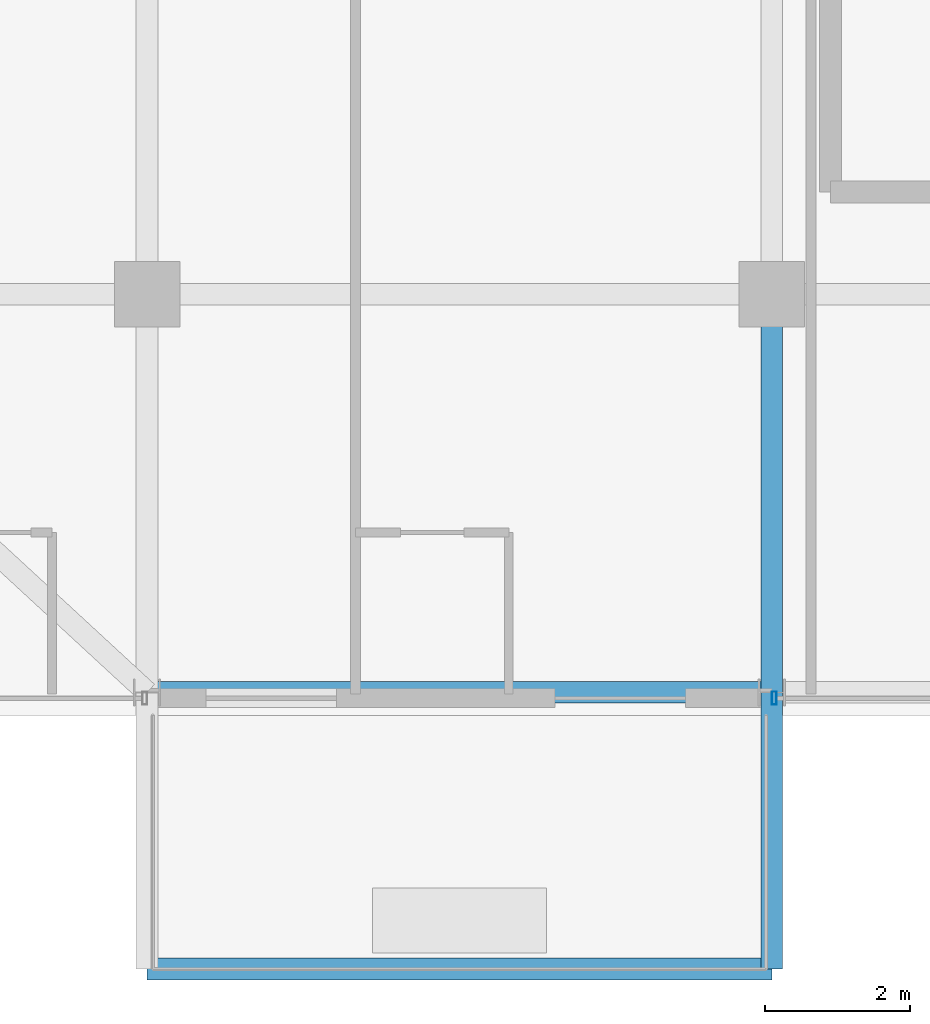
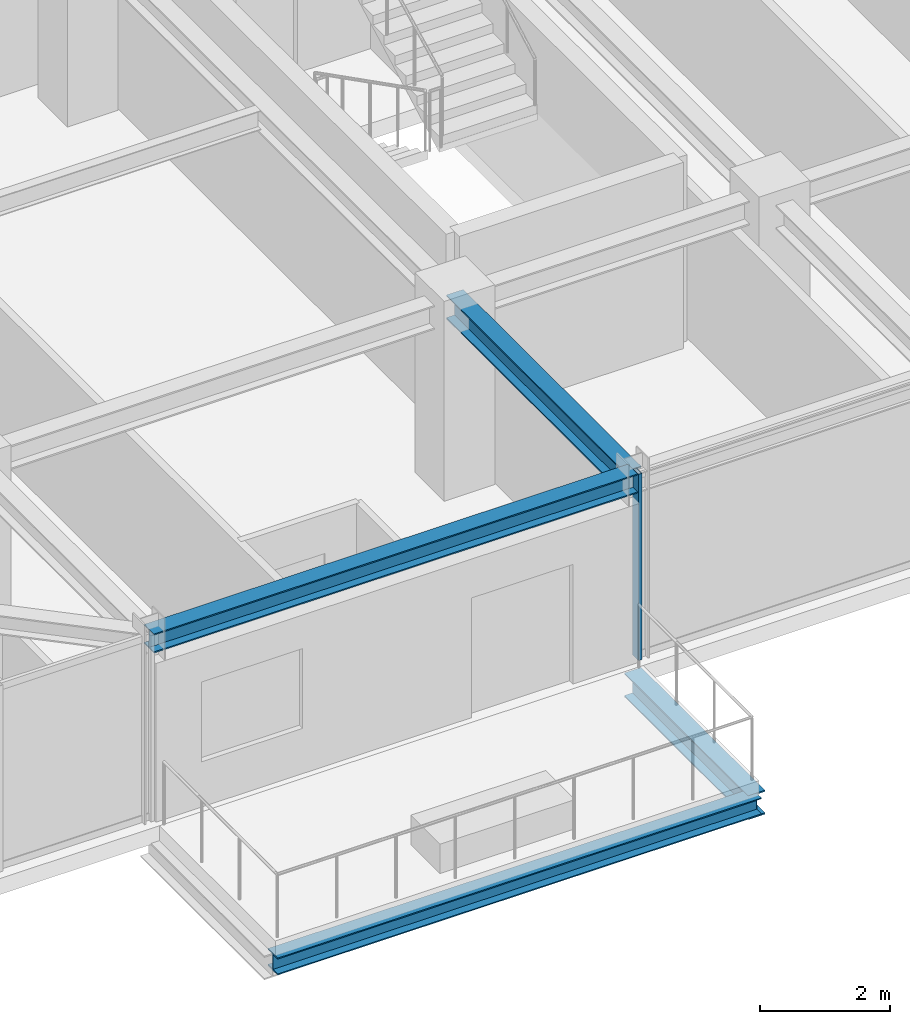
# One storey, part 5 of 33: 4 beams, 1 member, 1 element without a shape of its own.
"""IFC4 building model written with IfcOpenShell, lengths in metres."""

from ifc_helpers import new_model, si_unit, direction, frame, origin, origin_2d, place, context, subcontext, project, spatial, hollow_rectangle, i_section, extrude, source, transform, mapped, material, material_profile, profile_set, type_object, element, aggregate, save


model = new_model("IFC4")

# Units and contexts
model_context = context("Model", 3, precision=1e-05, world=origin(), true_north=direction((0.0, 1.0)))
body_context = subcontext(model_context, "Body", "Model", "MODEL_VIEW")
ifc_project = project(units=[si_unit("LENGTHUNIT", "METRE"), si_unit("AREAUNIT", "SQUARE_METRE"), si_unit("VOLUMEUNIT", "CUBIC_METRE"), si_unit("PLANEANGLEUNIT", "RADIAN"), si_unit("MASSUNIT", "GRAM", prefix="KILO")], contexts=[model_context])

# Site, building, storey
site_placement = place(None, origin())
site = spatial("IfcSite", under=ifc_project, at=site_placement, CompositionType="ELEMENT")
building_placement = place(site_placement, origin())
building = spatial("IfcBuilding", under=site, at=building_placement, Name="Nahalor Promenade Grand Hotel", CompositionType="ELEMENT")
storey_placement = place(building_placement, frame((0.0, 0.0, 315.75)))
storey = spatial("IfcBuildingStorey", under=building, at=storey_placement, Name="L81", CompositionType="ELEMENT", Elevation=315.75)

# Beams
ifc_material_1 = material(Name="Steel S355JR", Category="steel")
ifc_material_profile_1 = material_profile(ifc_material_1, i_section(OverallWidth=0.3, OverallDepth=0.32, WebThickness=0.0115, FlangeThickness=0.0205, at=origin_2d()), Name="HEB 320")
ifc_profile_set_1 = profile_set([ifc_material_profile_1], Name="Steel S355JR")
beam_type_1 = type_object("IfcBeamType", Name="Beam-BalcEdge-HEB320", PredefinedType="SPANDREL", material=ifc_profile_set_1)
shared_shape_1 = source(origin(), body_context, "Body", "SweptSolid", [
    extrude(i_section(OverallWidth=0.3, OverallDepth=0.32, WebThickness=0.0115, FlangeThickness=0.0205, at=origin_2d()), origin(), (0.0, 0.0, 1.0), 8.60009765625),
])
beam_1_placement = place(storey_placement, frame((-17.0, -26.2900390625, -0.43994140625), z_axis=(1.0, 0.0, 0.0), x_axis=(0.0, 1.0, 0.0)))
element("IfcBeam", 1, at=beam_1_placement, inside=storey, type_object=beam_type_1, Name="BM-L81-BC-01-F", PredefinedType="SPANDREL", context=body_context, shape_type="MappedRepresentation", body=[
    mapped(shared_shape_1, transform((0.0, 0.0, 0.0), scale=1.0)),
])
ifc_material_profile_2 = material_profile(ifc_material_1, i_section(OverallWidth=0.3, OverallDepth=0.45, WebThickness=0.014, FlangeThickness=0.026, at=origin_2d()), Name="HEB 450")
ifc_profile_set_2 = profile_set([ifc_material_profile_2], Name="Steel S355JR")
beam_type_2 = type_object("IfcBeamType", Name="Beam-Outrigger-HEB450", PredefinedType="BEAM", material=ifc_profile_set_2)
shared_shape_2 = source(origin(), body_context, "Body", "SweptSolid", [
    extrude(i_section(OverallWidth=0.3, OverallDepth=0.45, WebThickness=0.014, FlangeThickness=0.026, at=origin_2d()), origin(), (0.0, 0.0, 1.0), 3.81005859375),
])
beam_2_placement = place(storey_placement, frame((-8.39990234375, -26.2900390625, -0.5048828125), z_axis=(0.0, 1.0, 0.0), x_axis=(-1.0, 0.0, 0.0)))
element("IfcBeam", 2, at=beam_2_placement, inside=storey, type_object=beam_type_2, Name="BM-L81-BC-01-2", PredefinedType="BEAM", context=body_context, shape_type="MappedRepresentation", body=[
    mapped(shared_shape_2, transform((0.0, 0.0, 0.0), scale=1.0)),
])
ifc_material_profile_3 = material_profile(ifc_material_1, i_section(OverallWidth=0.3, OverallDepth=0.45, WebThickness=0.014, FlangeThickness=0.026, at=origin_2d()), Name="HEB 450")
ifc_profile_set_3 = profile_set([ifc_material_profile_3], Name="Steel S355JR")
beam_type_3 = type_object("IfcBeamType", Name="Beam-Girder-HEB450", PredefinedType="BEAM", material=ifc_profile_set_3)
shared_shape_3 = source(origin(), body_context, "Body", "SweptSolid", [
    extrude(i_section(OverallWidth=0.3, OverallDepth=0.45, WebThickness=0.014, FlangeThickness=0.026, at=origin_2d()), origin(), (0.0, 0.0, 1.0), 5.47998046875),
])
beam_3_placement = place(storey_placement, frame((-8.39990234375, -22.47998046875, 3.27490234375), z_axis=(0.0, 1.0, 0.0), x_axis=(-1.0, 0.0, 0.0)))
element("IfcBeam", 3, at=beam_3_placement, inside=storey, type_object=beam_type_3, Name="BM-L81-GY-1-0", PredefinedType="BEAM", context=body_context, shape_type="MappedRepresentation", body=[
    mapped(shared_shape_3, transform((0.0, 0.0, 0.0), scale=1.0)),
])
ifc_material_profile_4 = material_profile(ifc_material_1, i_section(OverallWidth=0.3, OverallDepth=0.36, WebThickness=0.0125, FlangeThickness=0.0225, at=origin_2d()), Name="HEB 360")
ifc_profile_set_4 = profile_set([ifc_material_profile_4], Name="Steel S355JR")
beam_type_4 = type_object("IfcBeamType", Name="Beam-Spandrel-HEB360", PredefinedType="SPANDREL", material=ifc_profile_set_4)
shared_shape_4 = source(origin(), body_context, "Body", "SweptSolid", [
    extrude(i_section(OverallWidth=0.3, OverallDepth=0.36, WebThickness=0.0125, FlangeThickness=0.0225, at=origin_2d()), origin(), (0.0, 0.0, 1.0), 8.60009765625),
])
beam_4_placement = place(storey_placement, frame((-17.0, -22.47998046875, 3.320068359375), z_axis=(1.0, 0.0, 0.0), x_axis=(0.0, 1.0, 0.0)))
element("IfcBeam", 4, at=beam_4_placement, inside=storey, type_object=beam_type_4, Name="BM-L81-SP-S-0", PredefinedType="SPANDREL", context=body_context, shape_type="MappedRepresentation", body=[
    mapped(shared_shape_4, transform((0.0, 0.0, 0.0), scale=1.0)),
])

# Curtain wall, member
ifc_material_2 = material(Name="Anodised Bronze Aluminium EN AW-6063 T6", Category="aluminium")
curtain_wall_type = type_object("IfcCurtainWallType", Name="CW2 Typical Hotel Flush Bronze Unitised Curtain Wall", PredefinedType="USERDEFINED", material=ifc_material_2)
curtain_wall_placement = place(storey_placement, origin())
curtain_wall = element("IfcCurtainWall", 5, at=curtain_wall_placement, inside=storey, type_object=curtain_wall_type, Name="L81 Curtain Wall CW-L81-S-3", ObjectType="UNITISED_CURTAIN_WALL", PredefinedType="USERDEFINED")
ifc_material_profile_5 = material_profile(ifc_material_2, hollow_rectangle(XDim=0.065, YDim=0.18, WallThickness=0.004, at=origin_2d()), Name="CWM 65x180x4")
ifc_profile_set_5 = profile_set([ifc_material_profile_5], Name="Anodised Bronze Aluminium EN AW-6063 T6")
member_type = type_object("IfcMemberType", Name="CWM2 Typical Bronze Mullion 65x180", PredefinedType="MULLION", material=ifc_profile_set_5)
shared_shape_5 = source(origin(), body_context, "Body", "SweptSolid", [
    extrude(hollow_rectangle(XDim=0.065, YDim=0.18, WallThickness=0.004, at=origin_2d()), origin(), (0.0, 0.0, 1.0), 3.5),
])
member_placement = place(storey_placement, frame((-8.367431640625, -22.56005859375, 0.0), z_axis=(0.0, 0.0, 1.0), x_axis=(1.0, 0.0, 0.0)))
member = element("IfcMember", 6, at=member_placement, type_object=member_type, Name="CW-L81-S-3 Mullion 0", PredefinedType="MULLION", context=body_context, shape_type="MappedRepresentation", body=[
    mapped(shared_shape_5, transform((0.0, 0.0, 0.0), scale=1.0)),
])
aggregate(curtain_wall, [member])

save(model, "model.ifc")
